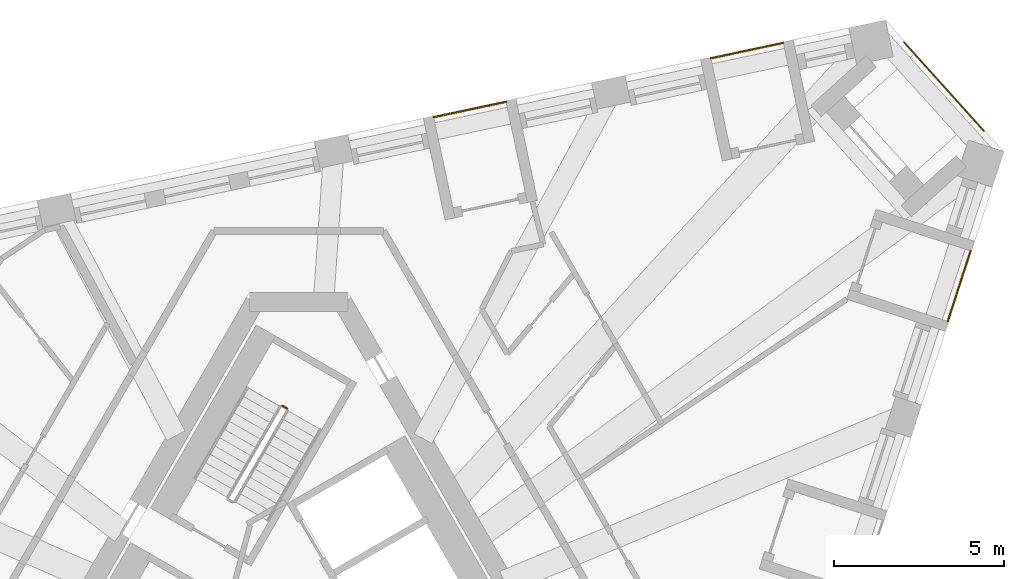
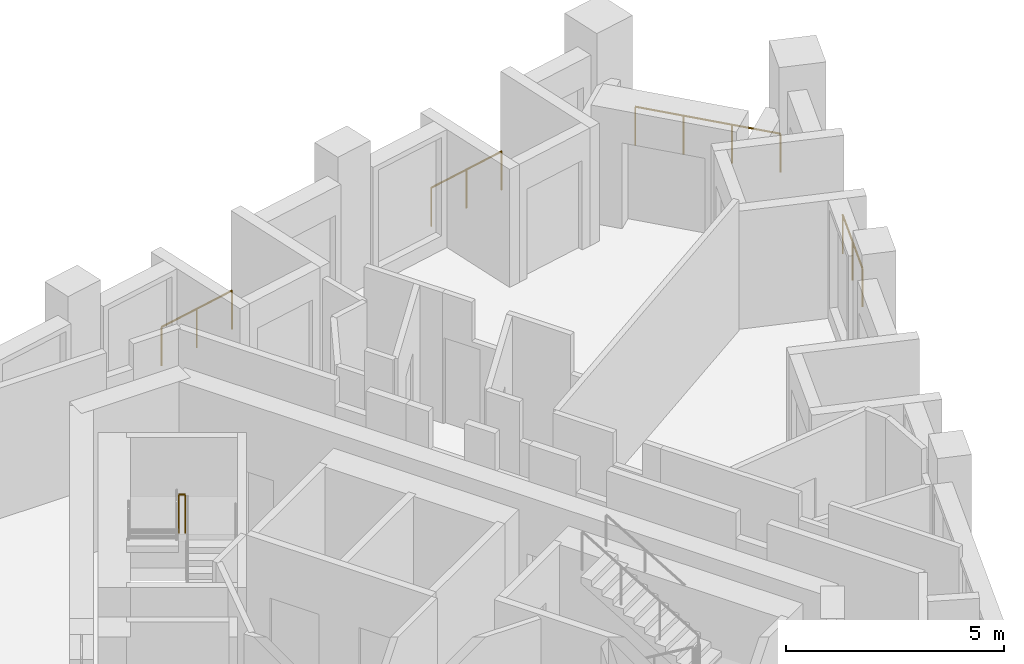
# One storey, part 12 of 12: 5 railings.
"""IFC4 building model written with IfcOpenShell, lengths in metres."""

from ifc_helpers import new_model, si_unit, direction, frame, origin, origin_2d, place, context, subcontext, project, spatial, circle, extrude, material, type_object, element, save


model = new_model("IFC4")

# Units and contexts
model_context = context("Model", 3, precision=1e-05, world=origin(), true_north=direction((0.0, 1.0)))
body_context = subcontext(model_context, "Body", "Model", "MODEL_VIEW")
ifc_project = project(units=[si_unit("LENGTHUNIT", "METRE"), si_unit("AREAUNIT", "SQUARE_METRE"), si_unit("VOLUMEUNIT", "CUBIC_METRE"), si_unit("PLANEANGLEUNIT", "RADIAN"), si_unit("MASSUNIT", "GRAM", prefix="KILO")], contexts=[model_context])

# Site, building, storey
site_placement = place(None, origin())
site = spatial("IfcSite", under=ifc_project, at=site_placement, CompositionType="ELEMENT")
building_placement = place(site_placement, origin())
building = spatial("IfcBuilding", under=site, at=building_placement, Name="Tramontana Tower", CompositionType="ELEMENT")
storey_placement = place(building_placement, frame((0.0, 0.0, 332.39990234375)))
storey = spatial("IfcBuildingStorey", under=building, at=storey_placement, Name="L76", CompositionType="ELEMENT", Elevation=332.39990234375)

# Railings
ifc_material_1 = material(Name="Laminated glass balustrade", Category="glass")
railing_type_1 = type_object("IfcRailingType", Name="GD1 Loggia glass balustrade 1100", PredefinedType="BALUSTRADE", material=ifc_material_1)
railing_1_placement = place(storey_placement, frame((19.0400390625, 10.1552734375, 0.0)))
element("IfcRailing", 1, at=railing_1_placement, inside=storey, type_object=railing_type_1, Name="Loggia balustrade L76 G8S1.13", PredefinedType="BALUSTRADE", context=body_context, shape_type="SweptSolid", body=[
    extrude(circle(Radius=0.02392578125, at=origin_2d()), frame((0.0, 0.0, 1.076171875), z_axis=(0.308966581759, 0.95107289487, 0.0), x_axis=(-0.95107289487, 0.308966581759, 0.0)), (0.0, 0.0, 1.0), 2.17138671875),
    extrude(circle(Radius=0.02099609375, at=origin_2d()), origin(), (0.0, 0.0, 1.0), 1.052001953125),
    extrude(circle(Radius=0.02099609375, at=origin_2d()), frame((0.33544921875, 1.03271484375, 0.0)), (0.0, 0.0, 1.0), 1.052001953125),
    extrude(circle(Radius=0.02099609375, at=origin_2d()), frame((0.6708984375, 2.065185546875, 0.0)), (0.0, 0.0, 1.0), 1.052001953125),
])
for number, where, name in (
    (2, (14.2138671875, 18.32568359375, 0.0), "Loggia balustrade L76 G8S2.1"),
    (3, (6.08154296875, 16.59716796875, 0.0), "Loggia balustrade L76 G8S2.4"),
):
    element("IfcRailing", number, at=place(storey_placement, frame(where)), inside=storey, type_object=railing_type_1, Name=name, PredefinedType="BALUSTRADE", context=body_context, shape_type="SweptSolid", body=[
        extrude(circle(Radius=0.02392578125, at=origin_2d()), frame((0.0, 0.0, 1.076171875), z_axis=(-0.978148276005, -0.207908513891, 0.0), x_axis=(0.207908513891, -0.978148276005, 0.0)), (0.0, 0.0, 1.0), 2.171142578125),
        extrude(circle(Radius=0.02099609375, at=origin_2d()), origin(), (0.0, 0.0, 1.0), 1.052001953125),
        extrude(circle(Radius=0.02099609375, at=origin_2d()), frame((-1.06201171875, -0.2255859375, 0.0)), (0.0, 0.0, 1.0), 1.052001953125),
        extrude(circle(Radius=0.02099609375, at=origin_2d()), frame((-2.123779296875, -0.451416015625, 0.0)), (0.0, 0.0, 1.0), 1.052001953125),
    ])
railing_2_placement = place(storey_placement, frame((17.7568359375, 18.34326171875, 0.0)))
element("IfcRailing", 4, at=railing_2_placement, inside=storey, type_object=railing_type_1, Name="Corner loggia balustrade L76 K82", PredefinedType="BALUSTRADE", context=body_context, shape_type="SweptSolid", body=[
    extrude(circle(Radius=0.02392578125, at=origin_2d()), frame((0.0, 0.0, 1.076171875), z_axis=(0.669134277936, -0.743141519559, 0.0), x_axis=(0.743141519559, 0.669134277936, 0.0)), (0.0, 0.0, 1.0), 3.5),
    extrude(circle(Radius=0.02099609375, at=origin_2d()), origin(), (0.0, 0.0, 1.0), 1.052001953125),
    extrude(circle(Radius=0.02099609375, at=origin_2d()), frame((0.78076171875, -0.866943359375, 0.0)), (0.0, 0.0, 1.0), 1.052001953125),
    extrude(circle(Radius=0.02099609375, at=origin_2d()), frame((1.561279296875, -1.734130859375, 0.0)), (0.0, 0.0, 1.0), 1.052001953125),
    extrude(circle(Radius=0.02099609375, at=origin_2d()), frame((2.342041015625, -2.60107421875, 0.0)), (0.0, 0.0, 1.0), 1.052001953125),
])
ifc_material_2 = material(Name="Painted steel", Category="steel")
railing_type_2 = type_object("IfcRailingType", Name="STAIR GUARD 1100", PredefinedType="GUARDRAIL", material=ifc_material_2)
railing_3_placement = place(storey_placement, frame((-0.345703125, 7.601318359375, 2.0)))
element("IfcRailing", 5, at=railing_3_placement, inside=storey, type_object=railing_type_2, Name="L76 ST1 stair guard 3", PredefinedType="GUARDRAIL", context=body_context, shape_type="SweptSolid", body=[
    extrude(circle(Radius=0.02392578125, at=origin_2d()), frame((0.0, 0.0, 1.076171875), z_axis=(-0.866131372301, 0.499816412211, 0.0), x_axis=(-0.499816412211, -0.866131372301, 0.0)), (0.0, 0.0, 1.0), 0.14990234375),
    extrude(circle(Radius=0.02099609375, at=origin_2d()), origin(), (0.0, 0.0, 1.0), 1.052001953125),
    extrude(circle(Radius=0.02099609375, at=origin_2d()), frame((-0.1298828125, 0.074951171875, 0.0)), (0.0, 0.0, 1.0), 1.052001953125),
])

save(model, "model.ifc")
